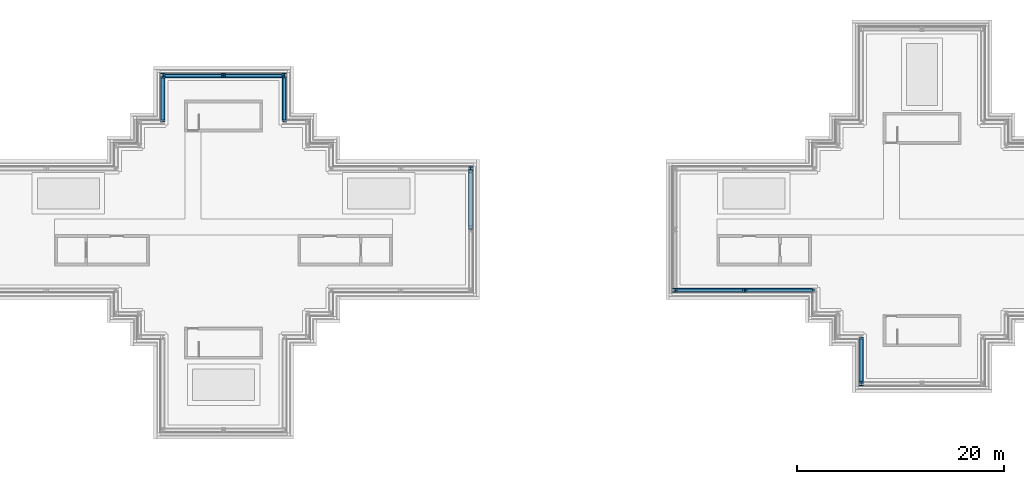
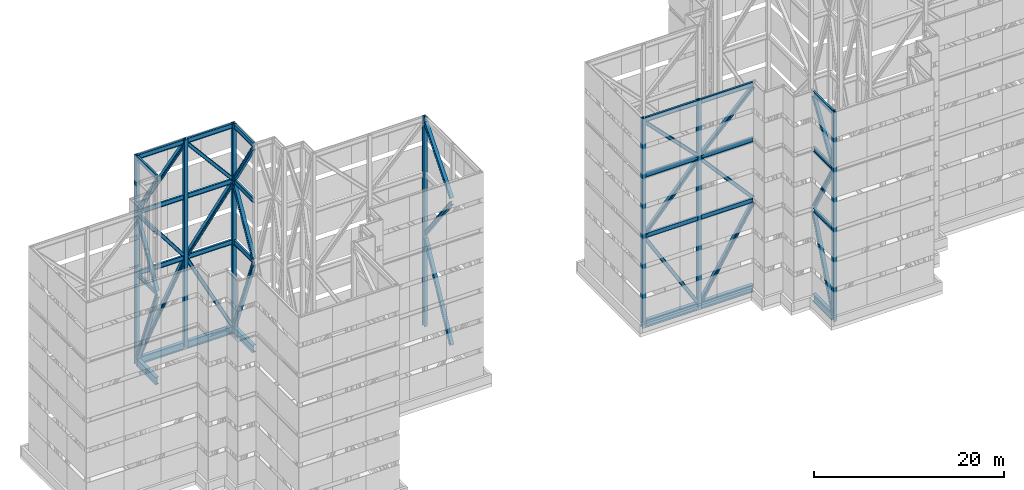
# One storey, part 4 of 19: 59 members.
"""IFC4 building model written with IfcOpenShell, lengths in metres."""

from ifc_helpers import new_model, si_unit, direction, frame, origin, origin_2d, place, context, subcontext, project, spatial, i_section, extrude, material, material_profile, profile_set, type_object, element, save


model = new_model("IFC4")

# Units and contexts
model_context = context("Model", 3, precision=1e-05, world=origin(), true_north=direction((0.0, 1.0)))
body_context = subcontext(model_context, "Body", "Model", "MODEL_VIEW")
ifc_project = project(units=[si_unit("LENGTHUNIT", "METRE"), si_unit("AREAUNIT", "SQUARE_METRE"), si_unit("VOLUMEUNIT", "CUBIC_METRE"), si_unit("PLANEANGLEUNIT", "RADIAN"), si_unit("MASSUNIT", "GRAM", prefix="KILO")], contexts=[model_context])

# Site, building, storey
site_placement = place(None, origin())
site = spatial("IfcSite", under=ifc_project, at=site_placement, CompositionType="ELEMENT")
building_placement = place(site_placement, origin())
building = spatial("IfcBuilding", under=site, at=building_placement, Name="Shamsa Quay Exchange Towers", CompositionType="ELEMENT")
storey_placement = place(building_placement, frame((0.0, 0.0, 284.300048828125)))
storey = spatial("IfcBuildingStorey", under=building, at=storey_placement, Name="Roof", CompositionType="ELEMENT", Elevation=284.300048828125)

# Members
ifc_material = material(Name="Steel S355", Category="steel")
ifc_material_profile_1 = material_profile(ifc_material, i_section(OverallWidth=0.423095703125, OverallDepth=0.947265625, WebThickness=0.02392578125, FlangeThickness=0.042724609375, at=origin_2d()), Name="W36x302")
ifc_profile_set_1 = profile_set([ifc_material_profile_1], Name="Steel S355")
member_type_1 = type_object("IfcMemberType", Name="Crown frame base ring girder W36x302", PredefinedType="USERDEFINED", material=ifc_profile_set_1)
member_1_placement = place(storey_placement, frame((-27.875, 10.5830078125, 0.4736328125), z_axis=(0.0, 1.0, 0.0), x_axis=(-1.0, 0.0, 0.0)))
element("IfcMember", 1, at=member_1_placement, inside=storey, type_object=member_type_1, Name="Crown frame base ring girder T1", ObjectType="CROWN FRAME", PredefinedType="USERDEFINED", context=body_context, shape_type="SweptSolid", body=[
    extrude(i_section(OverallWidth=0.423095703125, OverallDepth=0.947265625, WebThickness=0.02392578125, FlangeThickness=0.042724609375, at=origin_2d()), origin(), (0.0, 0.0, 1.0), 4.083984375),
])
for number, where, z_axis, x_axis, name in (
    (2, (-28.078125, 14.875, 0.4736328125), (-1.0, 0.0, 0.0), (0.0, -1.0, 0.0), "Crown frame base ring girder T1"),
    (3, (-33.953125, 14.875, 0.4736328125), (-1.0, 0.0, 0.0), (0.0, -1.0, 0.0), "Crown frame base ring girder T1"),
):
    element("IfcMember", number, at=place(storey_placement, frame(where, z_axis=z_axis, x_axis=x_axis)), inside=storey, type_object=member_type_1, Name=name, ObjectType="CROWN FRAME", PredefinedType="USERDEFINED", context=body_context, shape_type="SweptSolid", body=[
        extrude(i_section(OverallWidth=0.423095703125, OverallDepth=0.947265625, WebThickness=0.02392578125, FlangeThickness=0.042724609375, at=origin_2d()), origin(), (0.0, 0.0, 1.0), 5.46875),
    ])
member_2_placement = place(storey_placement, frame((-39.625, 14.6669921875, 0.4736328125), z_axis=(0.0, -1.0, 0.0), x_axis=(1.0, 0.0, 0.0)))
element("IfcMember", 4, at=member_2_placement, inside=storey, type_object=member_type_1, Name="Crown frame base ring girder T1", ObjectType="CROWN FRAME", PredefinedType="USERDEFINED", context=body_context, shape_type="SweptSolid", body=[
    extrude(i_section(OverallWidth=0.423095703125, OverallDepth=0.947265625, WebThickness=0.02392578125, FlangeThickness=0.042724609375, at=origin_2d()), origin(), (0.0, 0.0, 1.0), 4.083984375),
])
for number, where, z_axis, x_axis, name in (
    (5, (10.078125, -5.875, 0.4736328125), (1.0, 0.0, 0.0), (0.0, 1.0, 0.0), "Crown frame base ring girder T2"),
    (6, (16.828125, -5.875, 0.4736328125), (1.0, 0.0, 0.0), (0.0, 1.0, 0.0), "Crown frame base ring girder T2"),
):
    element("IfcMember", number, at=place(storey_placement, frame(where, z_axis=z_axis, x_axis=x_axis)), inside=storey, type_object=member_type_1, Name=name, ObjectType="CROWN FRAME", PredefinedType="USERDEFINED", context=body_context, shape_type="SweptSolid", body=[
        extrude(i_section(OverallWidth=0.423095703125, OverallDepth=0.947265625, WebThickness=0.02392578125, FlangeThickness=0.042724609375, at=origin_2d()), origin(), (0.0, 0.0, 1.0), 6.34375),
    ])
member_3_placement = place(storey_placement, frame((27.875, -10.5830078125, 0.4736328125), z_axis=(0.0, -1.0, 0.0), x_axis=(1.0, 0.0, 0.0)))
element("IfcMember", 7, at=member_3_placement, inside=storey, type_object=member_type_1, Name="Crown frame base ring girder T2", ObjectType="CROWN FRAME", PredefinedType="USERDEFINED", context=body_context, shape_type="SweptSolid", body=[
    extrude(i_section(OverallWidth=0.423095703125, OverallDepth=0.947265625, WebThickness=0.02392578125, FlangeThickness=0.042724609375, at=origin_2d()), origin(), (0.0, 0.0, 1.0), 4.083984375),
])
ifc_material_profile_2 = material_profile(ifc_material, i_section(OverallWidth=0.403564453125, OverallDepth=0.407470703125, WebThickness=0.027099609375, FlangeThickness=0.043701171875, at=origin_2d()), Name="W14x233")
ifc_profile_set_2 = profile_set([ifc_material_profile_2], Name="Steel S355")
member_type_2 = type_object("IfcMemberType", Name="Crown frame brace W14x233", PredefinedType="USERDEFINED", material=ifc_profile_set_2)
member_4_placement = place(storey_placement, frame((-9.875, 0.2080078125, 0.947265625), z_axis=(0.0, 0.46314070047, 0.886284768891), x_axis=(-1.0, 0.0, 0.0)))
element("IfcMember", 8, at=member_4_placement, inside=storey, type_object=member_type_2, Name="Crown frame brace T1", ObjectType="CROWN FRAME", PredefinedType="USERDEFINED", context=body_context, shape_type="SweptSolid", body=[
    extrude(i_section(OverallWidth=0.403564453125, OverallDepth=0.407470703125, WebThickness=0.027099609375, FlangeThickness=0.043701171875, at=origin_2d()), origin(), (0.0, 0.0, 1.0), 11.786865234375),
])
member_5_placement = place(storey_placement, frame((-9.875, 0.2080078125, 19.19384765625), z_axis=(0.0, 0.604823303721, -0.796359699681), x_axis=(-1.0, 0.0, 0.0)))
element("IfcMember", 9, at=member_5_placement, inside=storey, type_object=member_type_2, Name="Crown frame brace T1", ObjectType="CROWN FRAME", PredefinedType="USERDEFINED", context=body_context, shape_type="SweptSolid", body=[
    extrude(i_section(OverallWidth=0.403564453125, OverallDepth=0.407470703125, WebThickness=0.027099609375, FlangeThickness=0.043701171875, at=origin_2d()), origin(), (0.0, 0.0, 1.0), 9.025634765625),
])
member_6_placement = place(storey_placement, frame((-9.875, 0.2080078125, 19.805908203125), z_axis=(0.0, 0.644171231164, 0.764881314284), x_axis=(-1.0, 0.0, 0.0)))
element("IfcMember", 10, at=member_6_placement, inside=storey, type_object=member_type_2, Name="Crown frame brace T1", ObjectType="CROWN FRAME", PredefinedType="USERDEFINED", context=body_context, shape_type="SweptSolid", body=[
    extrude(i_section(OverallWidth=0.403564453125, OverallDepth=0.407470703125, WebThickness=0.027099609375, FlangeThickness=0.043701171875, at=origin_2d()), origin(), (0.0, 0.0, 1.0), 8.474365234375),
])
member_7_placement = place(storey_placement, frame((-27.875, 10.5830078125, 11.393798828125), z_axis=(0.0, 0.364106342135, -0.931357381254), x_axis=(-1.0, 0.0, 0.0)))
element("IfcMember", 11, at=member_7_placement, inside=storey, type_object=member_type_2, Name="Crown frame brace T1", ObjectType="CROWN FRAME", PredefinedType="USERDEFINED", context=body_context, shape_type="SweptSolid", body=[
    extrude(i_section(OverallWidth=0.403564453125, OverallDepth=0.407470703125, WebThickness=0.027099609375, FlangeThickness=0.043701171875, at=origin_2d()), origin(), (0.0, 0.0, 1.0), 11.216552734375),
])
member_8_placement = place(storey_placement, frame((-27.875, 10.5830078125, 12.006103515625), z_axis=(0.0, 0.494012959299, 0.869454539378), x_axis=(-1.0, 0.0, 0.0)))
element("IfcMember", 12, at=member_8_placement, inside=storey, type_object=member_type_2, Name="Crown frame brace T1", ObjectType="CROWN FRAME", PredefinedType="USERDEFINED", context=body_context, shape_type="SweptSolid", body=[
    extrude(i_section(OverallWidth=0.403564453125, OverallDepth=0.407470703125, WebThickness=0.027099609375, FlangeThickness=0.043701171875, at=origin_2d()), origin(), (0.0, 0.0, 1.0), 8.266845703125),
])
member_9_placement = place(storey_placement, frame((-27.875, 10.5830078125, 26.287841796875), z_axis=(0.0, 0.533071874958, -0.846069959358), x_axis=(-1.0, 0.0, 0.0)))
element("IfcMember", 13, at=member_9_placement, inside=storey, type_object=member_type_2, Name="Crown frame brace T1", ObjectType="CROWN FRAME", PredefinedType="USERDEFINED", context=body_context, shape_type="SweptSolid", body=[
    extrude(i_section(OverallWidth=0.403564453125, OverallDepth=0.407470703125, WebThickness=0.027099609375, FlangeThickness=0.043701171875, at=origin_2d()), origin(), (0.0, 0.0, 1.0), 7.6611328125),
])
member_10_placement = place(storey_placement, frame((-28.078125, 14.875, 0.947265625), z_axis=(-0.46379112615, 0.0, 0.885944575752), x_axis=(0.0, -1.0, 0.0)))
element("IfcMember", 14, at=member_10_placement, inside=storey, type_object=member_type_2, Name="Crown frame brace T1", ObjectType="CROWN FRAME", PredefinedType="USERDEFINED", context=body_context, shape_type="SweptSolid", body=[
    extrude(i_section(OverallWidth=0.403564453125, OverallDepth=0.407470703125, WebThickness=0.027099609375, FlangeThickness=0.043701171875, at=origin_2d()), origin(), (0.0, 0.0, 1.0), 11.79150390625),
])
member_11_placement = place(storey_placement, frame((-28.078125, 14.875, 19.19384765625), z_axis=(-0.605508806079, 0.0, -0.795838605347), x_axis=(0.0, -1.0, 0.0)))
element("IfcMember", 15, at=member_11_placement, inside=storey, type_object=member_type_2, Name="Crown frame brace T1", ObjectType="CROWN FRAME", PredefinedType="USERDEFINED", context=body_context, shape_type="SweptSolid", body=[
    extrude(i_section(OverallWidth=0.403564453125, OverallDepth=0.407470703125, WebThickness=0.027099609375, FlangeThickness=0.043701171875, at=origin_2d()), origin(), (0.0, 0.0, 1.0), 9.03173828125),
])
member_12_placement = place(storey_placement, frame((-28.078125, 14.875, 19.805908203125), z_axis=(-0.644844663681, 0.0, 0.764313652712), x_axis=(0.0, -1.0, 0.0)))
element("IfcMember", 16, at=member_12_placement, inside=storey, type_object=member_type_2, Name="Crown frame brace T1", ObjectType="CROWN FRAME", PredefinedType="USERDEFINED", context=body_context, shape_type="SweptSolid", body=[
    extrude(i_section(OverallWidth=0.403564453125, OverallDepth=0.407470703125, WebThickness=0.027099609375, FlangeThickness=0.043701171875, at=origin_2d()), origin(), (0.0, 0.0, 1.0), 8.480712890625),
])
member_13_placement = place(storey_placement, frame((-33.953125, 14.875, 11.393798828125), z_axis=(-0.46379112615, 0.0, -0.885944575752), x_axis=(0.0, -1.0, 0.0)))
element("IfcMember", 17, at=member_13_placement, inside=storey, type_object=member_type_2, Name="Crown frame brace T1", ObjectType="CROWN FRAME", PredefinedType="USERDEFINED", context=body_context, shape_type="SweptSolid", body=[
    extrude(i_section(OverallWidth=0.403564453125, OverallDepth=0.407470703125, WebThickness=0.027099609375, FlangeThickness=0.043701171875, at=origin_2d()), origin(), (0.0, 0.0, 1.0), 11.79150390625),
])
member_14_placement = place(storey_placement, frame((-33.953125, 14.875, 12.006103515625), z_axis=(-0.605508806079, 0.0, 0.795838605347), x_axis=(0.0, -1.0, 0.0)))
element("IfcMember", 18, at=member_14_placement, inside=storey, type_object=member_type_2, Name="Crown frame brace T1", ObjectType="CROWN FRAME", PredefinedType="USERDEFINED", context=body_context, shape_type="SweptSolid", body=[
    extrude(i_section(OverallWidth=0.403564453125, OverallDepth=0.407470703125, WebThickness=0.027099609375, FlangeThickness=0.043701171875, at=origin_2d()), origin(), (0.0, 0.0, 1.0), 9.03173828125),
])
member_15_placement = place(storey_placement, frame((-33.953125, 14.875, 26.287841796875), z_axis=(-0.644844663681, 0.0, -0.764313652712), x_axis=(0.0, -1.0, 0.0)))
element("IfcMember", 19, at=member_15_placement, inside=storey, type_object=member_type_2, Name="Crown frame brace T1", ObjectType="CROWN FRAME", PredefinedType="USERDEFINED", context=body_context, shape_type="SweptSolid", body=[
    extrude(i_section(OverallWidth=0.403564453125, OverallDepth=0.407470703125, WebThickness=0.027099609375, FlangeThickness=0.043701171875, at=origin_2d()), origin(), (0.0, 0.0, 1.0), 8.480712890625),
])
member_16_placement = place(storey_placement, frame((-39.625, 14.6669921875, 0.947265625), z_axis=(0.0, -0.364106342135, 0.931357381254), x_axis=(1.0, 0.0, 0.0)))
element("IfcMember", 20, at=member_16_placement, inside=storey, type_object=member_type_2, Name="Crown frame brace T1", ObjectType="CROWN FRAME", PredefinedType="USERDEFINED", context=body_context, shape_type="SweptSolid", body=[
    extrude(i_section(OverallWidth=0.403564453125, OverallDepth=0.407470703125, WebThickness=0.027099609375, FlangeThickness=0.043701171875, at=origin_2d()), origin(), (0.0, 0.0, 1.0), 11.216552734375),
])
member_17_placement = place(storey_placement, frame((-39.625, 14.6669921875, 19.19384765625), z_axis=(0.0, -0.494012959299, -0.869454539378), x_axis=(1.0, 0.0, 0.0)))
element("IfcMember", 21, at=member_17_placement, inside=storey, type_object=member_type_2, Name="Crown frame brace T1", ObjectType="CROWN FRAME", PredefinedType="USERDEFINED", context=body_context, shape_type="SweptSolid", body=[
    extrude(i_section(OverallWidth=0.403564453125, OverallDepth=0.407470703125, WebThickness=0.027099609375, FlangeThickness=0.043701171875, at=origin_2d()), origin(), (0.0, 0.0, 1.0), 8.266845703125),
])
member_18_placement = place(storey_placement, frame((-39.625, 14.6669921875, 19.805908203125), z_axis=(0.0, -0.533071874958, 0.846069959358), x_axis=(1.0, 0.0, 0.0)))
element("IfcMember", 22, at=member_18_placement, inside=storey, type_object=member_type_2, Name="Crown frame brace T1", ObjectType="CROWN FRAME", PredefinedType="USERDEFINED", context=body_context, shape_type="SweptSolid", body=[
    extrude(i_section(OverallWidth=0.403564453125, OverallDepth=0.407470703125, WebThickness=0.027099609375, FlangeThickness=0.043701171875, at=origin_2d()), origin(), (0.0, 0.0, 1.0), 7.6611328125),
])
member_19_placement = place(storey_placement, frame((10.078125, -5.875, 11.393798828125), z_axis=(0.519050588784, 0.0, -0.854743520761), x_axis=(0.0, 1.0, 0.0)))
element("IfcMember", 23, at=member_19_placement, inside=storey, type_object=member_type_2, Name="Crown frame brace T2", ObjectType="CROWN FRAME", PredefinedType="USERDEFINED", context=body_context, shape_type="SweptSolid", body=[
    extrude(i_section(OverallWidth=0.403564453125, OverallDepth=0.407470703125, WebThickness=0.027099609375, FlangeThickness=0.043701171875, at=origin_2d()), origin(), (0.0, 0.0, 1.0), 12.221923828125),
])
member_20_placement = place(storey_placement, frame((10.078125, -5.875, 12.006103515625), z_axis=(0.661716808405, 0.0, 0.74975386993), x_axis=(0.0, 1.0, 0.0)))
element("IfcMember", 24, at=member_20_placement, inside=storey, type_object=member_type_2, Name="Crown frame brace T2", ObjectType="CROWN FRAME", PredefinedType="USERDEFINED", context=body_context, shape_type="SweptSolid", body=[
    extrude(i_section(OverallWidth=0.403564453125, OverallDepth=0.407470703125, WebThickness=0.027099609375, FlangeThickness=0.043701171875, at=origin_2d()), origin(), (0.0, 0.0, 1.0), 9.5869140625),
])
member_21_placement = place(storey_placement, frame((10.078125, -5.875, 26.287841796875), z_axis=(0.699447836177, 0.0, -0.714683653421), x_axis=(0.0, 1.0, 0.0)))
element("IfcMember", 25, at=member_21_placement, inside=storey, type_object=member_type_2, Name="Crown frame brace T2", ObjectType="CROWN FRAME", PredefinedType="USERDEFINED", context=body_context, shape_type="SweptSolid", body=[
    extrude(i_section(OverallWidth=0.403564453125, OverallDepth=0.407470703125, WebThickness=0.027099609375, FlangeThickness=0.043701171875, at=origin_2d()), origin(), (0.0, 0.0, 1.0), 9.069580078125),
])
member_22_placement = place(storey_placement, frame((16.828125, -5.875, 0.947265625), z_axis=(0.519050588784, 0.0, 0.854743520761), x_axis=(0.0, 1.0, 0.0)))
element("IfcMember", 26, at=member_22_placement, inside=storey, type_object=member_type_2, Name="Crown frame brace T2", ObjectType="CROWN FRAME", PredefinedType="USERDEFINED", context=body_context, shape_type="SweptSolid", body=[
    extrude(i_section(OverallWidth=0.403564453125, OverallDepth=0.407470703125, WebThickness=0.027099609375, FlangeThickness=0.043701171875, at=origin_2d()), origin(), (0.0, 0.0, 1.0), 12.221923828125),
])
member_23_placement = place(storey_placement, frame((16.828125, -5.875, 19.19384765625), z_axis=(0.661716808405, 0.0, -0.74975386993), x_axis=(0.0, 1.0, 0.0)))
element("IfcMember", 27, at=member_23_placement, inside=storey, type_object=member_type_2, Name="Crown frame brace T2", ObjectType="CROWN FRAME", PredefinedType="USERDEFINED", context=body_context, shape_type="SweptSolid", body=[
    extrude(i_section(OverallWidth=0.403564453125, OverallDepth=0.407470703125, WebThickness=0.027099609375, FlangeThickness=0.043701171875, at=origin_2d()), origin(), (0.0, 0.0, 1.0), 9.5869140625),
])
member_24_placement = place(storey_placement, frame((16.828125, -5.875, 19.805908203125), z_axis=(0.699447836177, 0.0, 0.714683653421), x_axis=(0.0, 1.0, 0.0)))
element("IfcMember", 28, at=member_24_placement, inside=storey, type_object=member_type_2, Name="Crown frame brace T2", ObjectType="CROWN FRAME", PredefinedType="USERDEFINED", context=body_context, shape_type="SweptSolid", body=[
    extrude(i_section(OverallWidth=0.403564453125, OverallDepth=0.407470703125, WebThickness=0.027099609375, FlangeThickness=0.043701171875, at=origin_2d()), origin(), (0.0, 0.0, 1.0), 9.069580078125),
])
member_25_placement = place(storey_placement, frame((27.875, -10.5830078125, 11.393798828125), z_axis=(0.0, -0.364106342135, -0.931357381254), x_axis=(1.0, 0.0, 0.0)))
element("IfcMember", 29, at=member_25_placement, inside=storey, type_object=member_type_2, Name="Crown frame brace T2", ObjectType="CROWN FRAME", PredefinedType="USERDEFINED", context=body_context, shape_type="SweptSolid", body=[
    extrude(i_section(OverallWidth=0.403564453125, OverallDepth=0.407470703125, WebThickness=0.027099609375, FlangeThickness=0.043701171875, at=origin_2d()), origin(), (0.0, 0.0, 1.0), 11.216552734375),
])
member_26_placement = place(storey_placement, frame((27.875, -10.5830078125, 12.006103515625), z_axis=(0.0, -0.494012959299, 0.869454539378), x_axis=(1.0, 0.0, 0.0)))
element("IfcMember", 30, at=member_26_placement, inside=storey, type_object=member_type_2, Name="Crown frame brace T2", ObjectType="CROWN FRAME", PredefinedType="USERDEFINED", context=body_context, shape_type="SweptSolid", body=[
    extrude(i_section(OverallWidth=0.403564453125, OverallDepth=0.407470703125, WebThickness=0.027099609375, FlangeThickness=0.043701171875, at=origin_2d()), origin(), (0.0, 0.0, 1.0), 8.266845703125),
])
member_27_placement = place(storey_placement, frame((27.875, -10.5830078125, 26.287841796875), z_axis=(0.0, -0.533071874958, -0.846069959358), x_axis=(1.0, 0.0, 0.0)))
element("IfcMember", 31, at=member_27_placement, inside=storey, type_object=member_type_2, Name="Crown frame brace T2", ObjectType="CROWN FRAME", PredefinedType="USERDEFINED", context=body_context, shape_type="SweptSolid", body=[
    extrude(i_section(OverallWidth=0.403564453125, OverallDepth=0.407470703125, WebThickness=0.027099609375, FlangeThickness=0.043701171875, at=origin_2d()), origin(), (0.0, 0.0, 1.0), 7.6611328125),
])
ifc_material_profile_3 = material_profile(ifc_material, i_section(OverallWidth=0.40625, OverallDepth=0.416015625, WebThickness=0.02978515625, FlangeThickness=0.048095703125, at=origin_2d()), Name="W14x257")
ifc_profile_set_3 = profile_set([ifc_material_profile_3], Name="Steel S355")
member_type_3 = type_object("IfcMemberType", Name="Crown frame post W14x257", PredefinedType="USERDEFINED", material=ifc_profile_set_3)
for number, where, name in (
    (32, (-9.875, 5.875, 0.0), "Crown frame post T1"),
    (33, (-27.875, 14.875, 0.0), "Crown frame post T1"),
    (34, (-33.75, 14.875, 0.0), "Crown frame post T1"),
    (35, (-39.625, 14.875, 0.0), "Crown frame post T1"),
    (36, (27.875, -14.875, 0.0), "Crown frame post T2"),
    (37, (9.875, -5.875, 0.0), "Crown frame post T2"),
    (38, (16.625, -5.875, 0.0), "Crown frame post T2"),
):
    element("IfcMember", number, at=place(storey_placement, frame(where)), inside=storey, type_object=member_type_3, Name=name, ObjectType="CROWN FRAME", PredefinedType="USERDEFINED", context=body_context, shape_type="SweptSolid", body=[
        extrude(i_section(OverallWidth=0.40625, OverallDepth=0.416015625, WebThickness=0.02978515625, FlangeThickness=0.048095703125, at=origin_2d()), origin(), (0.0, 0.0, 1.0), 26.89990234375),
    ])
ifc_material_profile_4 = material_profile(ifc_material, i_section(OverallWidth=0.22900390625, OverallDepth=0.612060546875, WebThickness=0.011962890625, FlangeThickness=0.01953125, at=origin_2d()), Name="W24x84")
ifc_profile_set_4 = profile_set([ifc_material_profile_4], Name="Steel S355")
member_type_4 = type_object("IfcMemberType", Name="Crown frame ring beam W24x84", PredefinedType="USERDEFINED", material=ifc_profile_set_4)
for number, where, z_axis, x_axis, name in (
    (39, (-27.875, 10.5830078125, 11.699951171875), (0.0, 1.0, 0.0), (-1.0, 0.0, 0.0), "Crown frame ring beam T1"),
    (40, (-27.875, 10.5830078125, 19.5), (0.0, 1.0, 0.0), (-1.0, 0.0, 0.0), "Crown frame ring beam T1"),
    (41, (-27.875, 10.5830078125, 26.593994140625), (0.0, 1.0, 0.0), (-1.0, 0.0, 0.0), "Crown frame ring beam T1"),
):
    element("IfcMember", number, at=place(storey_placement, frame(where, z_axis=z_axis, x_axis=x_axis)), inside=storey, type_object=member_type_4, Name=name, ObjectType="CROWN FRAME", PredefinedType="USERDEFINED", context=body_context, shape_type="SweptSolid", body=[
        extrude(i_section(OverallWidth=0.22900390625, OverallDepth=0.612060546875, WebThickness=0.011962890625, FlangeThickness=0.01953125, at=origin_2d()), origin(), (0.0, 0.0, 1.0), 4.083984375),
    ])
for number, where, z_axis, x_axis, name in (
    (42, (-28.078125, 14.875, 11.699951171875), (-1.0, 0.0, 0.0), (0.0, -1.0, 0.0), "Crown frame ring beam T1"),
    (43, (-28.078125, 14.875, 19.5), (-1.0, 0.0, 0.0), (0.0, -1.0, 0.0), "Crown frame ring beam T1"),
    (44, (-28.078125, 14.875, 26.593994140625), (-1.0, 0.0, 0.0), (0.0, -1.0, 0.0), "Crown frame ring beam T1"),
    (45, (-33.953125, 14.875, 11.699951171875), (-1.0, 0.0, 0.0), (0.0, -1.0, 0.0), "Crown frame ring beam T1"),
    (46, (-33.953125, 14.875, 19.5), (-1.0, 0.0, 0.0), (0.0, -1.0, 0.0), "Crown frame ring beam T1"),
    (47, (-33.953125, 14.875, 26.593994140625), (-1.0, 0.0, 0.0), (0.0, -1.0, 0.0), "Crown frame ring beam T1"),
):
    element("IfcMember", number, at=place(storey_placement, frame(where, z_axis=z_axis, x_axis=x_axis)), inside=storey, type_object=member_type_4, Name=name, ObjectType="CROWN FRAME", PredefinedType="USERDEFINED", context=body_context, shape_type="SweptSolid", body=[
        extrude(i_section(OverallWidth=0.22900390625, OverallDepth=0.612060546875, WebThickness=0.011962890625, FlangeThickness=0.01953125, at=origin_2d()), origin(), (0.0, 0.0, 1.0), 5.46875),
    ])
for number, where, z_axis, x_axis, name in (
    (48, (-39.625, 14.6669921875, 11.699951171875), (0.0, -1.0, 0.0), (1.0, 0.0, 0.0), "Crown frame ring beam T1"),
    (49, (-39.625, 14.6669921875, 19.5), (0.0, -1.0, 0.0), (1.0, 0.0, 0.0), "Crown frame ring beam T1"),
    (50, (-39.625, 14.6669921875, 26.593994140625), (0.0, -1.0, 0.0), (1.0, 0.0, 0.0), "Crown frame ring beam T1"),
):
    element("IfcMember", number, at=place(storey_placement, frame(where, z_axis=z_axis, x_axis=x_axis)), inside=storey, type_object=member_type_4, Name=name, ObjectType="CROWN FRAME", PredefinedType="USERDEFINED", context=body_context, shape_type="SweptSolid", body=[
        extrude(i_section(OverallWidth=0.22900390625, OverallDepth=0.612060546875, WebThickness=0.011962890625, FlangeThickness=0.01953125, at=origin_2d()), origin(), (0.0, 0.0, 1.0), 4.083984375),
    ])
for number, where, z_axis, x_axis, name in (
    (51, (10.078125, -5.875, 11.699951171875), (1.0, 0.0, 0.0), (0.0, 1.0, 0.0), "Crown frame ring beam T2"),
    (52, (10.078125, -5.875, 19.5), (1.0, 0.0, 0.0), (0.0, 1.0, 0.0), "Crown frame ring beam T2"),
    (53, (10.078125, -5.875, 26.593994140625), (1.0, 0.0, 0.0), (0.0, 1.0, 0.0), "Crown frame ring beam T2"),
    (54, (16.828125, -5.875, 11.699951171875), (1.0, 0.0, 0.0), (0.0, 1.0, 0.0), "Crown frame ring beam T2"),
    (55, (16.828125, -5.875, 19.5), (1.0, 0.0, 0.0), (0.0, 1.0, 0.0), "Crown frame ring beam T2"),
    (56, (16.828125, -5.875, 26.593994140625), (1.0, 0.0, 0.0), (0.0, 1.0, 0.0), "Crown frame ring beam T2"),
):
    element("IfcMember", number, at=place(storey_placement, frame(where, z_axis=z_axis, x_axis=x_axis)), inside=storey, type_object=member_type_4, Name=name, ObjectType="CROWN FRAME", PredefinedType="USERDEFINED", context=body_context, shape_type="SweptSolid", body=[
        extrude(i_section(OverallWidth=0.22900390625, OverallDepth=0.612060546875, WebThickness=0.011962890625, FlangeThickness=0.01953125, at=origin_2d()), origin(), (0.0, 0.0, 1.0), 6.34375),
    ])
for number, where, z_axis, x_axis, name in (
    (57, (27.875, -10.5830078125, 11.699951171875), (0.0, -1.0, 0.0), (1.0, 0.0, 0.0), "Crown frame ring beam T2"),
    (58, (27.875, -10.5830078125, 19.5), (0.0, -1.0, 0.0), (1.0, 0.0, 0.0), "Crown frame ring beam T2"),
    (59, (27.875, -10.5830078125, 26.593994140625), (0.0, -1.0, 0.0), (1.0, 0.0, 0.0), "Crown frame ring beam T2"),
):
    element("IfcMember", number, at=place(storey_placement, frame(where, z_axis=z_axis, x_axis=x_axis)), inside=storey, type_object=member_type_4, Name=name, ObjectType="CROWN FRAME", PredefinedType="USERDEFINED", context=body_context, shape_type="SweptSolid", body=[
        extrude(i_section(OverallWidth=0.22900390625, OverallDepth=0.612060546875, WebThickness=0.011962890625, FlangeThickness=0.01953125, at=origin_2d()), origin(), (0.0, 0.0, 1.0), 4.083984375),
    ])

save(model, "model.ifc")
